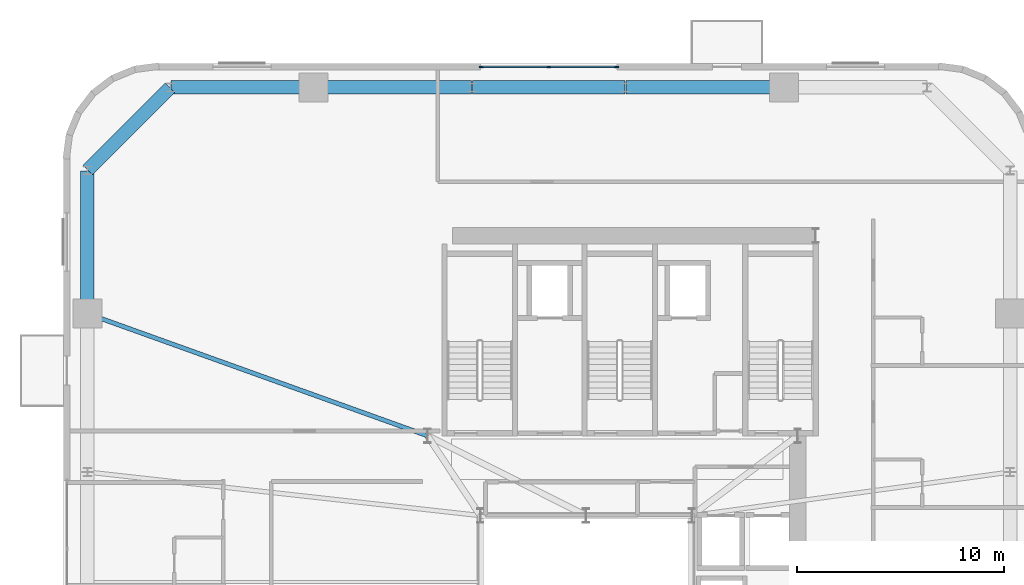
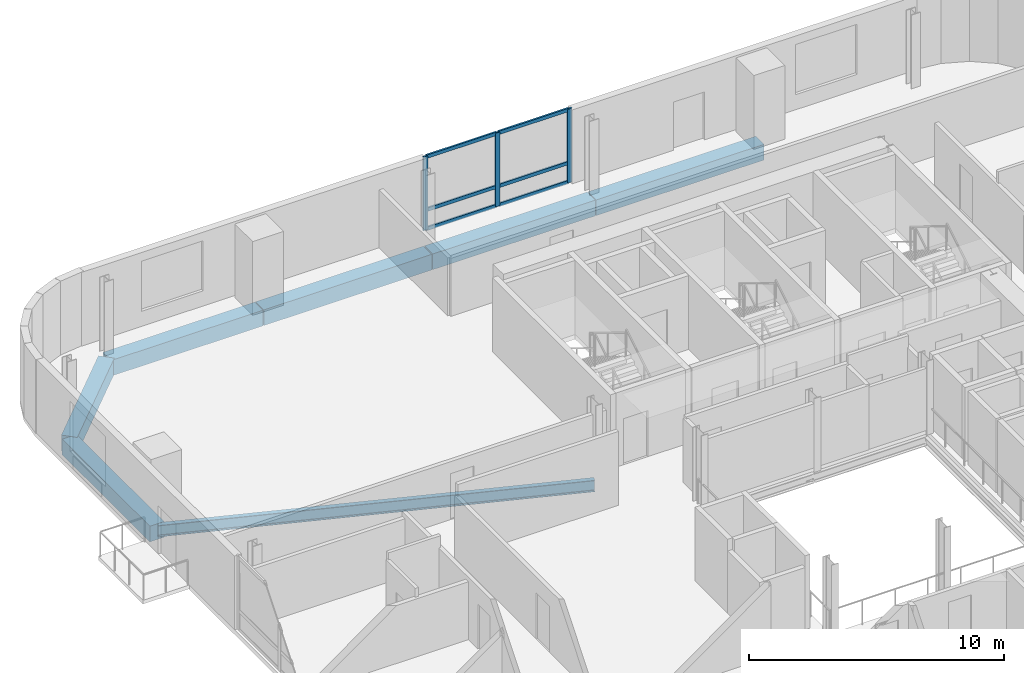
# One storey, part 6 of 16: 9 members, 7 beams, 1 element without a shape of its own.
"""IFC4 building model written with IfcOpenShell, lengths in metres."""

from ifc_helpers import new_model, si_unit, direction, frame, origin, origin_2d, place, context, subcontext, project, spatial, rectangle, i_section, extrude, source, transform, mapped, material, material_profile, profile_set, type_object, element, aggregate, save


model = new_model("IFC4")

# Units and contexts
model_context = context("Model", 3, precision=1e-05, world=origin(), true_north=direction((0.0, 1.0)))
body_context = subcontext(model_context, "Body", "Model", "MODEL_VIEW")
ifc_project = project(units=[si_unit("LENGTHUNIT", "METRE"), si_unit("AREAUNIT", "SQUARE_METRE"), si_unit("VOLUMEUNIT", "CUBIC_METRE"), si_unit("PLANEANGLEUNIT", "RADIAN"), si_unit("MASSUNIT", "GRAM", prefix="KILO")], contexts=[model_context])

# Site, building, storey
site_placement = place(None, origin())
site = spatial("IfcSite", under=ifc_project, at=site_placement, CompositionType="ELEMENT")
building_placement = place(site_placement, origin())
building = spatial("IfcBuilding", under=site, at=building_placement, Name="Vardaveli Station Tower", CompositionType="ELEMENT")
storey_placement = place(building_placement, frame((0.0, 0.0, 211.050048828125)))
storey = spatial("IfcBuildingStorey", under=building, at=storey_placement, Name="L54", CompositionType="ELEMENT", Elevation=211.050048828125)

# Beams
ifc_material_1 = material(Name="Precast concrete C45/55", Category="concrete")
ifc_material_profile_1 = material_profile(ifc_material_1, rectangle(XDim=0.64990234375, YDim=0.75, at=origin_2d()), Name="LPB 650x750")
ifc_profile_set_1 = profile_set([ifc_material_profile_1], Name="Precast concrete C45/55")
beam_type_1 = type_object("IfcBeamType", Name="BM-LPB-750", PredefinedType="BEAM", material=ifc_profile_set_1)
shared_shape_1 = source(origin(), body_context, "Body", "SweptSolid", [
    extrude(rectangle(XDim=0.64990234375, YDim=0.75, at=origin_2d()), origin(), (0.0, 0.0, 1.0), 7.60009765625),
])
for number, where, z_axis, x_axis, name in (
    (1, (45.820068359375, 47.449951171875, -0.594970703125), (-1.0, 0.0, 0.0), (0.0, -1.0, 0.0), "RBM-L54-13"),
    (2, (30.780029296875, 47.449951171875, -0.594970703125), (-1.0, 0.0, 0.0), (0.0, -1.0, 0.0), "RBM-L54-15"),
):
    element("IfcBeam", number, at=place(storey_placement, frame(where, z_axis=z_axis, x_axis=x_axis)), inside=storey, type_object=beam_type_1, Name=name, PredefinedType="BEAM", context=body_context, shape_type="MappedRepresentation", body=[
        mapped(shared_shape_1, transform((0.0, 0.0, 0.0), scale=1.0)),
    ])
shared_shape_2 = source(origin(), body_context, "Body", "SweptSolid", [
    extrude(rectangle(XDim=0.64990234375, YDim=0.75, at=origin_2d()), origin(), (0.0, 0.0, 1.0), 7.35986328125),
])
beam_1_placement = place(storey_placement, frame((38.179931640625, 47.449951171875, -0.594970703125), z_axis=(-1.0, 0.0, 0.0), x_axis=(0.0, -1.0, 0.0)))
element("IfcBeam", 3, at=beam_1_placement, inside=storey, type_object=beam_type_1, Name="RBM-L54-14", PredefinedType="BEAM", context=body_context, shape_type="MappedRepresentation", body=[
    mapped(shared_shape_2, transform((0.0, 0.0, 0.0), scale=1.0)),
])
shared_shape_3 = source(origin(), body_context, "Body", "SweptSolid", [
    extrude(rectangle(XDim=0.64990234375, YDim=0.75, at=origin_2d()), origin(), (0.0, 0.0, 1.0), 6.869873046875),
])
for number, where, z_axis, x_axis, name in (
    (4, (23.139892578125, 47.449951171875, -0.594970703125), (-1.0, 0.0, 0.0), (0.0, -1.0, 0.0), "RBM-L54-16"),
    (5, (12.25, 43.429931640625, -0.594970703125), (0.0, -1.0, 0.0), (1.0, 0.0, 0.0), "RBM-L54-18"),
):
    element("IfcBeam", number, at=place(storey_placement, frame(where, z_axis=z_axis, x_axis=x_axis)), inside=storey, type_object=beam_type_1, Name=name, PredefinedType="BEAM", context=body_context, shape_type="MappedRepresentation", body=[
        mapped(shared_shape_3, transform((0.0, 0.0, 0.0), scale=1.0)),
    ])
shared_shape_4 = source(origin(), body_context, "Body", "SweptSolid", [
    extrude(rectangle(XDim=0.64990234375, YDim=0.75, at=origin_2d()), origin(), (0.0, 0.0, 1.0), 5.61669921875),
])
beam_2_placement = place(storey_placement, frame((16.23583984375, 47.435791015625, -0.594970703125), z_axis=(-0.707106781187, -0.707106781187, 0.0), x_axis=(0.707106781187, -0.707106781187, 0.0)))
element("IfcBeam", 6, at=beam_2_placement, inside=storey, type_object=beam_type_1, Name="RBM-L54-17", PredefinedType="BEAM", context=body_context, shape_type="MappedRepresentation", body=[
    mapped(shared_shape_4, transform((0.0, 0.0, 0.0), scale=1.0)),
])
ifc_material_2 = material(Name="Structural steel S355J2", Category="steel")
ifc_material_profile_2 = material_profile(ifc_material_2, i_section(OverallWidth=0.2099609375, OverallDepth=0.550048828125, WebThickness=0.010986328125, FlangeThickness=0.01708984375, FilletRadius=0.02392578125, at=origin_2d()), Name="IPE 550")
ifc_profile_set_2 = profile_set([ifc_material_profile_2], Name="Structural steel S355J2")
beam_type_2 = type_object("IfcBeamType", Name="BM-IPE550", PredefinedType="BEAM", material=ifc_profile_set_2)
shared_shape_5 = source(origin(), body_context, "Body", "SweptSolid", [
    extrude(i_section(OverallWidth=0.2099609375, OverallDepth=0.550048828125, WebThickness=0.010986328125, FlangeThickness=0.01708984375, FilletRadius=0.02392578125, at=origin_2d()), origin(), (0.0, 0.0, 1.0), 17.385498046875),
])
beam_3_placement = place(storey_placement, frame((12.268798828125, 36.533203125, -0.4951171875), z_axis=(0.941143134401, -0.338008284766, 0.0), x_axis=(0.338008284766, 0.941143134401, 0.0)))
element("IfcBeam", 7, at=beam_3_placement, inside=storey, type_object=beam_type_2, Name="GBM-L54-12", PredefinedType="BEAM", context=body_context, shape_type="MappedRepresentation", body=[
    mapped(shared_shape_5, transform((0.0, 0.0, 0.0), scale=1.0)),
])

# Curtain wall, members
ifc_material_3 = material(Name="Travertine stone and solar-control glass", Category="masonry")
curtain_wall_type = type_object("IfcCurtainWallType", Name="CW-SYS-5", PredefinedType="NOTDEFINED", material=ifc_material_3)
curtain_wall_placement = place(storey_placement, origin())
curtain_wall = element("IfcCurtainWall", 8, at=curtain_wall_placement, inside=storey, type_object=curtain_wall_type, Name="CW-L54-N", PredefinedType="NOTDEFINED")
ifc_material_4 = material(Name="Anodised aluminium alloy 6063-T6", Category="aluminium")
ifc_material_profile_3 = material_profile(ifc_material_4, rectangle(XDim=0.080078125, YDim=0.1650390625, at=origin_2d()), Name="CWT 80x165")
ifc_profile_set_3 = profile_set([ifc_material_profile_3], Name="Anodised aluminium alloy 6063-T6")
member_type_1 = type_object("IfcMemberType", Name="CW-SYS-5-TRAN", PredefinedType="NOTDEFINED", material=ifc_profile_set_3)
shared_shape_6 = source(origin(), body_context, "Body", "SweptSolid", [
    extrude(rectangle(XDim=0.080078125, YDim=0.1650390625, at=origin_2d()), origin(), (0.0, 0.0, 1.0), 3.179931640625),
])
member_1_placement = place(storey_placement, frame((37.719970703125, 48.43994140625, 0.0400390625), z_axis=(-1.0, 0.0, 0.0), x_axis=(0.0, -1.0, 0.0)))
member_1 = element("IfcMember", 9, at=member_1_placement, type_object=member_type_1, Name="CW-5 transom 1.1", ObjectType="TRANSOM", PredefinedType="USERDEFINED", context=body_context, shape_type="MappedRepresentation", body=[
    mapped(shared_shape_6, transform((0.0, 0.0, 0.0), scale=1.0)),
])
member_2_placement = place(storey_placement, frame((37.719970703125, 48.43994140625, 0.949951171875), z_axis=(-1.0, 0.0, 0.0), x_axis=(0.0, -1.0, 0.0)))
member_2 = element("IfcMember", 10, at=member_2_placement, type_object=member_type_1, Name="CW-5 transom 1.2", ObjectType="TRANSOM", PredefinedType="USERDEFINED", context=body_context, shape_type="MappedRepresentation", body=[
    mapped(shared_shape_6, transform((0.0, 0.0, 0.0), scale=1.0)),
])
member_3_placement = place(storey_placement, frame((37.719970703125, 48.43994140625, 3.489990234375), z_axis=(-1.0, 0.0, 0.0), x_axis=(0.0, -1.0, 0.0)))
member_3 = element("IfcMember", 11, at=member_3_placement, type_object=member_type_1, Name="CW-5 transom 1.3", ObjectType="TRANSOM", PredefinedType="USERDEFINED", context=body_context, shape_type="MappedRepresentation", body=[
    mapped(shared_shape_6, transform((0.0, 0.0, 0.0), scale=1.0)),
])
member_4_placement = place(storey_placement, frame((34.4599609375, 48.43994140625, 0.0400390625), z_axis=(-1.0, 0.0, 0.0), x_axis=(0.0, -1.0, 0.0)))
member_4 = element("IfcMember", 12, at=member_4_placement, type_object=member_type_1, Name="CW-5 transom 2.1", ObjectType="TRANSOM", PredefinedType="USERDEFINED", context=body_context, shape_type="MappedRepresentation", body=[
    mapped(shared_shape_6, transform((0.0, 0.0, 0.0), scale=1.0)),
])
member_5_placement = place(storey_placement, frame((34.4599609375, 48.43994140625, 0.949951171875), z_axis=(-1.0, 0.0, 0.0), x_axis=(0.0, -1.0, 0.0)))
member_5 = element("IfcMember", 13, at=member_5_placement, type_object=member_type_1, Name="CW-5 transom 2.2", ObjectType="TRANSOM", PredefinedType="USERDEFINED", context=body_context, shape_type="MappedRepresentation", body=[
    mapped(shared_shape_6, transform((0.0, 0.0, 0.0), scale=1.0)),
])
member_6_placement = place(storey_placement, frame((34.4599609375, 48.43994140625, 3.489990234375), z_axis=(-1.0, 0.0, 0.0), x_axis=(0.0, -1.0, 0.0)))
member_6 = element("IfcMember", 14, at=member_6_placement, type_object=member_type_1, Name="CW-5 transom 2.3", ObjectType="TRANSOM", PredefinedType="USERDEFINED", context=body_context, shape_type="MappedRepresentation", body=[
    mapped(shared_shape_6, transform((0.0, 0.0, 0.0), scale=1.0)),
])
ifc_material_profile_4 = material_profile(ifc_material_4, rectangle(XDim=0.080078125, YDim=0.205078125, at=origin_2d()), Name="CWM 80x205")
ifc_profile_set_4 = profile_set([ifc_material_profile_4], Name="Anodised aluminium alloy 6063-T6")
member_type_2 = type_object("IfcMemberType", Name="CW-SYS-5-MULL", PredefinedType="MULLION", material=ifc_profile_set_4)
shared_shape_7 = source(origin(), body_context, "Body", "SweptSolid", [
    extrude(rectangle(XDim=0.080078125, YDim=0.205078125, at=origin_2d()), origin(), (0.0, 0.0, 1.0), 3.530029296875),
])
member_7_placement = place(storey_placement, frame((37.760009765625, 48.43994140625, 0.0), z_axis=(0.0, 0.0, 1.0), x_axis=(0.0, -1.0, 0.0)))
member_7 = element("IfcMember", 15, at=member_7_placement, type_object=member_type_2, Name="CW-5 mullion 1", PredefinedType="MULLION", context=body_context, shape_type="MappedRepresentation", body=[
    mapped(shared_shape_7, transform((0.0, 0.0, 0.0), scale=1.0)),
])
member_8_placement = place(storey_placement, frame((34.5, 48.43994140625, 0.0), z_axis=(0.0, 0.0, 1.0), x_axis=(0.0, -1.0, 0.0)))
member_8 = element("IfcMember", 16, at=member_8_placement, type_object=member_type_2, Name="CW-5 mullion 2", PredefinedType="MULLION", context=body_context, shape_type="MappedRepresentation", body=[
    mapped(shared_shape_7, transform((0.0, 0.0, 0.0), scale=1.0)),
])
member_9_placement = place(storey_placement, frame((31.239990234375, 48.43994140625, 0.0), z_axis=(0.0, 0.0, 1.0), x_axis=(0.0, -1.0, 0.0)))
member_9 = element("IfcMember", 17, at=member_9_placement, type_object=member_type_2, Name="CW-5 mullion 3", PredefinedType="MULLION", context=body_context, shape_type="MappedRepresentation", body=[
    mapped(shared_shape_7, transform((0.0, 0.0, 0.0), scale=1.0)),
])
aggregate(curtain_wall, [member_7, member_8, member_9, member_1, member_2, member_3, member_4, member_5, member_6])

save(model, "model.ifc")
